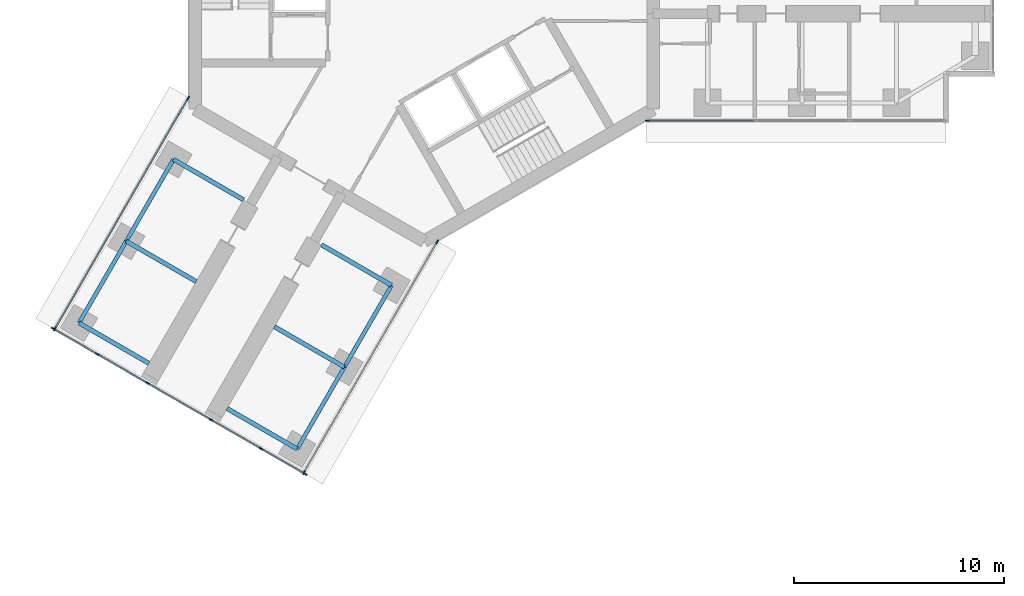
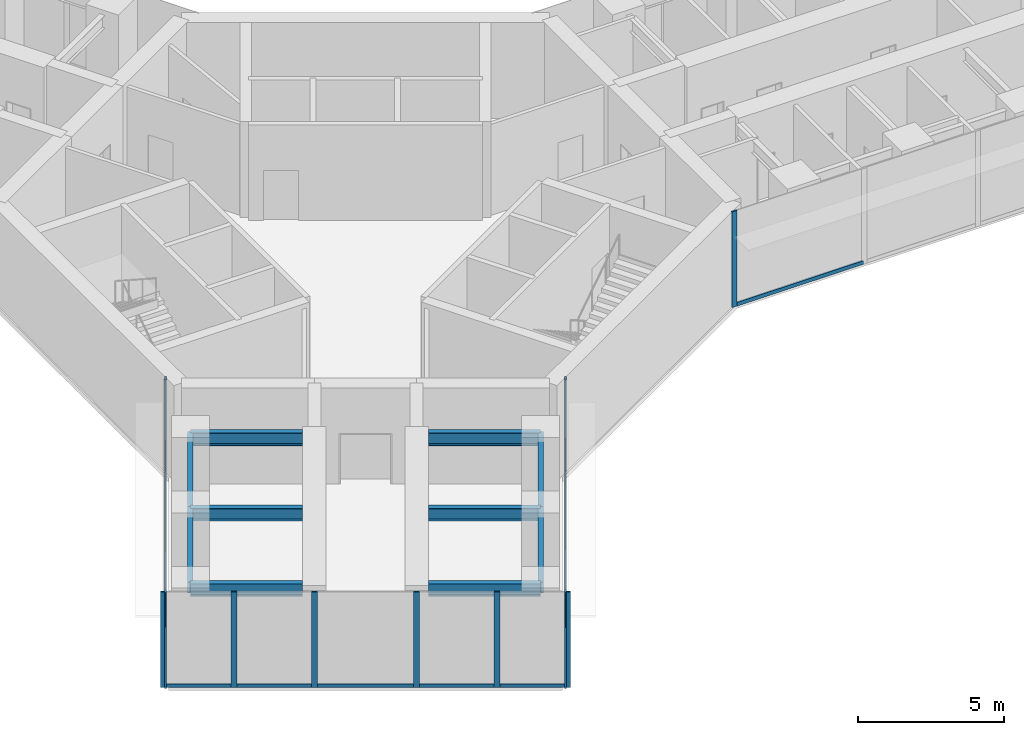
# One storey, part 2 of 22: 19 members, 10 beams, 4 elements without a shape of their own.
"""IFC4 building model written with IfcOpenShell, lengths in metres."""

import ifcopenshell
import ifcopenshell.guid

model = None  # the IFC model being written
_history = None  # IfcOwnerHistory: only IFC2X3 demands one
_inside = {}  # id of a spatial element -> (the spatial element, [elements in it])
_under = {}  # id of a project, library or spatial element -> (it, [spatial elements below it])
_declared = {}  # id of a project -> (the project, [libraries it declares])
_typed = {}  # id of a type object -> (the type object, [elements of that type])
_made_of = {}  # id of a material, layer set ... -> (it, [elements and type objects made of it])


def new_model(schema):
    """Start an empty IFC model of exactly this schema.

    Asked for "IFC4X3", IfcOpenShell would pick the latest addendum, in which some entities
    have other attributes; the version numbers below select the first issue.
    IFC2X3 requires an IfcOwnerHistory on every rooted entity: one is made here for all.
    """
    global model, _history
    if schema == "IFC4X3":
        model = ifcopenshell.file(schema_version=(4, 3, 0, 0))
    else:
        model = ifcopenshell.file(schema=schema)
    _inside.clear()
    _under.clear()
    _declared.clear()
    _typed.clear()
    _made_of.clear()
    _history = None
    if model.schema == "IFC2X3":
        org = make("IfcOrganization", Name="unknown")
        user = make(
            "IfcPersonAndOrganization",
            ThePerson=make("IfcPerson", FamilyName="unknown"),
            TheOrganization=org,
        )
        app = make(
            "IfcApplication",
            ApplicationDeveloper=org,
            Version="unknown",
            ApplicationFullName="unknown",
            ApplicationIdentifier="unknown",
        )
        _history = make(
            "IfcOwnerHistory",
            OwningUser=user,
            OwningApplication=app,
            ChangeAction="ADDED",
            CreationDate=0,
        )
    return model


def make(cls, **values):
    """One entity of the class cls with the attributes given. An attribute that is None is left unset."""
    return model.create_entity(
        cls, **{name: value for name, value in values.items() if value is not None}
    )


def rooted(cls, **values):
    """An entity with a GlobalId (a new one), such as an element, a storey or a relation."""
    return make(cls, GlobalId=ifcopenshell.guid.new(), OwnerHistory=_history, **values)


def si_unit(unit_type, name, prefix=None):
    """IfcSIUnit, for example si_unit("LENGTHUNIT", "METRE", prefix="MILLI")."""
    return make("IfcSIUnit", UnitType=unit_type, Prefix=prefix, Name=name)


def assignment(units):
    """IfcUnitAssignment: the units of a project."""
    return None if units is None else make("IfcUnitAssignment", Units=units)


def point(xyz):
    """IfcCartesianPoint."""
    return None if xyz is None else make("IfcCartesianPoint", Coordinates=xyz)


def direction(xyz):
    """IfcDirection."""
    return None if xyz is None else make("IfcDirection", DirectionRatios=xyz)


def frame(location, z_axis=None, x_axis=None):
    """IfcAxis2Placement3D, a coordinate frame: its origin and axes. An axis left out is left unset."""
    return make(
        "IfcAxis2Placement3D",
        Location=point(location),
        Axis=direction(z_axis),
        RefDirection=direction(x_axis),
    )


def frame_2d(location, x_axis=None):
    """IfcAxis2Placement2D, a coordinate frame in the plane: its origin and x axis."""
    return make(
        "IfcAxis2Placement2D", Location=point(location), RefDirection=direction(x_axis)
    )


def origin():
    """The frame at (0, 0, 0) with its axes left unset."""
    return frame((0.0, 0.0, 0.0))


def origin_2d():
    """The frame at (0, 0) in the plane with its x axis left unset."""
    return frame_2d((0.0, 0.0))


def place(relative_to, where):
    """IfcLocalPlacement: puts the frame where relative to a parent placement (None: the world)."""
    return make(
        "IfcLocalPlacement", PlacementRelTo=relative_to, RelativePlacement=where
    )


def context(
    kind, dimensions, precision=None, world=None, true_north=None, identifier=None
):
    """IfcGeometricRepresentationContext, for example the 3D "Model" context."""
    return make(
        "IfcGeometricRepresentationContext",
        ContextIdentifier=identifier,
        ContextType=kind,
        CoordinateSpaceDimension=dimensions,
        Precision=precision,
        WorldCoordinateSystem=world,
        TrueNorth=true_north,
    )


def subcontext(parent, identifier, kind, view, scale=None):
    """IfcGeometricRepresentationSubContext, for example "Body" below "Model"."""
    return make(
        "IfcGeometricRepresentationSubContext",
        ContextIdentifier=identifier,
        ContextType=kind,
        ParentContext=parent,
        TargetScale=scale,
        TargetView=view,
    )


def project(units=None, contexts=None):
    """IfcProject with its units and contexts."""
    return rooted(
        "IfcProject",
        Name="project",
        RepresentationContexts=contexts,
        UnitsInContext=assignment(units),
    )


def spatial(cls, under=None, at=None, **own):
    """A site, building, storey or space (cls), placed at a placement, below another one or the project."""
    s = rooted(cls, ObjectPlacement=at, **own)
    if under is not None:
        _under.setdefault(under.id(), (under, []))[1].append(s)
    return s


def profile(cls, at=None, kind="AREA", **sizes):
    """A parametric profile (cls). Its sizes go by their IFC names, for example OverallWidth=200.0."""
    return make(cls, ProfileType=kind, Position=at, **sizes)


def rectangle(**sizes):
    """IfcRectangleProfileDef."""
    return profile("IfcRectangleProfileDef", **sizes)


def i_section(**sizes):
    """IfcIShapeProfileDef."""
    return profile("IfcIShapeProfileDef", **sizes)


def extrude(swept, where, along, depth):
    """IfcExtrudedAreaSolid: the profile swept, set in the frame where, extruded along a direction by depth."""
    return make(
        "IfcExtrudedAreaSolid",
        SweptArea=swept,
        Position=where,
        ExtrudedDirection=direction(along),
        Depth=depth,
    )


def shape(context_of_items, identifier, shape_type, items):
    """IfcShapeRepresentation: the items that make up one representation, for example the "Body"."""
    return make(
        "IfcShapeRepresentation",
        ContextOfItems=context_of_items,
        RepresentationIdentifier=identifier,
        RepresentationType=shape_type,
        Items=items,
    )


def material(Name=None, Category=None):
    """IfcMaterial."""
    return make("IfcMaterial", Name=Name, Category=Category)


def material_profile(
    of_material, cross_section, Name=None, Category=None, Priority=None
):
    """IfcMaterialProfile: a cross section and its material."""
    return make(
        "IfcMaterialProfile",
        Name=Name,
        Material=of_material,
        Profile=cross_section,
        Priority=Priority,
        Category=Category,
    )


def profile_set(profiles, Name=None, composite=None):
    """IfcMaterialProfileSet."""
    return make(
        "IfcMaterialProfileSet",
        Name=Name,
        MaterialProfiles=profiles,
        CompositeProfile=composite,
    )


def made_of(thing, what):
    """Note that an element or type object is made of a material, layer set ...; save() writes the relation."""
    if what is not None:
        _made_of.setdefault(what.id(), (what, []))[1].append(thing)
    return thing


def type_object(cls, material=None, **own):
    """A type object (cls), such as IfcWallType, which elements share."""
    return made_of(rooted(cls, **own), material)


def element(
    cls,
    number,
    at=None,
    inside=None,
    cuts=None,
    type_object=None,
    material=None,
    context=None,
    identifier="Body",
    shape_type=None,
    held_by="IfcProductDefinitionShape",
    body=None,
    shapes=None,
    **own,
):
    """One element of the class cls, such as IfcWall. Its Tag is "e" and its number.

    at: its placement. inside: the storey or other place that contains it. cuts: it is an
    opening in that element (IfcRelVoidsElement). A single representation is given by context,
    identifier, shape_type and body (its items); several are given by shapes. held_by: the class
    of the entity that holds the representations. save() writes the other relations.
    """
    e = rooted(cls, Tag="e%d" % number, ObjectPlacement=at, **own)
    if body is not None:
        shapes = [shape(context, identifier, shape_type, body)]
    if shapes is not None:
        e.Representation = make(held_by, Representations=shapes)
    if inside is not None:
        _inside.setdefault(inside.id(), (inside, []))[1].append(e)
    if cuts is not None:
        rooted(
            "IfcRelVoidsElement", RelatingBuildingElement=cuts, RelatedOpeningElement=e
        )
    if type_object is not None:
        _typed.setdefault(type_object.id(), (type_object, []))[1].append(e)
    return made_of(e, material)


def aggregate(whole, parts):
    """IfcRelAggregates: a whole, such as a stair, and the parts it consists of."""
    return rooted("IfcRelAggregates", RelatingObject=whole, RelatedObjects=parts)


def save(model, path):
    """Write the relations noted so far, then the file.

    IfcRelAggregates (storeys below a building ...), IfcRelContainedInSpatialStructure (elements
    in a storey), IfcRelDefinesByType, IfcRelAssociatesMaterial and IfcRelDeclares: one each for
    every whole, place, type object, material and project.
    """
    for whole, parts in _under.values():
        aggregate(whole, parts)
    for where, things in _inside.values():
        rooted(
            "IfcRelContainedInSpatialStructure",
            RelatedElements=things,
            RelatingStructure=where,
        )
    for kind, things in _typed.values():
        rooted("IfcRelDefinesByType", RelatedObjects=things, RelatingType=kind)
    for what, things in _made_of.values():
        rooted("IfcRelAssociatesMaterial", RelatedObjects=things, RelatingMaterial=what)
    for by, libraries in _declared.values():
        rooted("IfcRelDeclares", RelatingContext=by, RelatedDefinitions=libraries)
    model.write(path)


model = new_model("IFC4")

# Units and contexts
model_context = context("Model", 3, precision=1e-05, world=origin(), true_north=direction((0.0, 1.0)))
body_context = subcontext(model_context, "Body", "Model", "MODEL_VIEW")
ifc_project = project(units=[si_unit("LENGTHUNIT", "METRE"), si_unit("AREAUNIT", "SQUARE_METRE"), si_unit("VOLUMEUNIT", "CUBIC_METRE"), si_unit("PLANEANGLEUNIT", "RADIAN"), si_unit("MASSUNIT", "GRAM", prefix="KILO")], contexts=[model_context])

# Site, building, storey
site_placement = place(None, origin())
site = spatial("IfcSite", under=ifc_project, at=site_placement, CompositionType="ELEMENT")
building_placement = place(site_placement, origin())
building = spatial("IfcBuilding", under=site, at=building_placement, Name="Upepo Twin Towers", CompositionType="ELEMENT")
storey_placement = place(building_placement, frame((0.0, 0.0, 133.5)))
storey = spatial("IfcBuildingStorey", under=building, at=storey_placement, Name="L32", CompositionType="ELEMENT", Elevation=133.5)

# Beams
ifc_material_1 = material(Name="Steel S355", Category="steel")
ifc_material_profile_1 = material_profile(ifc_material_1, i_section(OverallWidth=0.1904296875, OverallDepth=0.45703125, WebThickness=0.009033203125, FlangeThickness=0.014404296875, FilletRadius=0.01025390625, at=origin_2d()), Name="UB 457x191x74")
ifc_profile_set_1 = profile_set([ifc_material_profile_1], Name="Steel S355")
beam_type_1 = type_object("IfcBeamType", Name="Beam UB 457x191x74", PredefinedType="BEAM", material=ifc_profile_set_1)
beam_1_placement = place(storey_placement, frame((-1.553955078125, -14.69140625, 3.571533203125), z_axis=(-0.500013631625, -0.866017533419, 0.0), x_axis=(0.866017533419, -0.500013631625, 0.0)))
element("IfcBeam", 1, at=beam_1_placement, inside=storey, type_object=beam_type_1, Name="T1 edge beam CL 13.5-18.0", PredefinedType="BEAM", context=body_context, shape_type="SweptSolid", body=[
    extrude(i_section(OverallWidth=0.1904296875, OverallDepth=0.45703125, WebThickness=0.009033203125, FlangeThickness=0.014404296875, FilletRadius=0.01025390625, at=origin_2d()), origin(), (0.0, 0.0, 1.0), 4.499755859375),
])
beam_2_placement = place(storey_placement, frame((-3.803955078125, -18.58837890625, 3.571533203125), z_axis=(-0.499990139034, -0.866031096941, 0.0), x_axis=(0.866031096941, -0.499990139034, 0.0)))
element("IfcBeam", 2, at=beam_2_placement, inside=storey, type_object=beam_type_1, Name="T1 edge beam CL 18.0-22.5", PredefinedType="BEAM", context=body_context, shape_type="SweptSolid", body=[
    extrude(i_section(OverallWidth=0.1904296875, OverallDepth=0.45703125, WebThickness=0.009033203125, FlangeThickness=0.014404296875, FilletRadius=0.01025390625, at=origin_2d()), origin(), (0.0, 0.0, 1.0), 4.5),
])
beam_3_placement = place(storey_placement, frame((-11.946044921875, -8.69140625, 3.571533203125), z_axis=(-0.500013631625, -0.866017533419, 0.0), x_axis=(0.866017533419, -0.500013631625, 0.0)))
element("IfcBeam", 3, at=beam_3_placement, inside=storey, type_object=beam_type_1, Name="T1 edge beam CR 13.5-18.0", PredefinedType="BEAM", context=body_context, shape_type="SweptSolid", body=[
    extrude(i_section(OverallWidth=0.1904296875, OverallDepth=0.45703125, WebThickness=0.009033203125, FlangeThickness=0.014404296875, FilletRadius=0.01025390625, at=origin_2d()), origin(), (0.0, 0.0, 1.0), 4.499755859375),
])
beam_4_placement = place(storey_placement, frame((-14.196044921875, -12.58837890625, 3.571533203125), z_axis=(-0.499990139034, -0.866031096941, 0.0), x_axis=(0.866031096941, -0.499990139034, 0.0)))
element("IfcBeam", 4, at=beam_4_placement, inside=storey, type_object=beam_type_1, Name="T1 edge beam CR 18.0-22.5", PredefinedType="BEAM", context=body_context, shape_type="SweptSolid", body=[
    extrude(i_section(OverallWidth=0.1904296875, OverallDepth=0.45703125, WebThickness=0.009033203125, FlangeThickness=0.014404296875, FilletRadius=0.01025390625, at=origin_2d()), origin(), (0.0, 0.0, 1.0), 4.5),
])
ifc_material_2 = material(Name="Steel S355", Category="steel")
ifc_material_profile_2 = material_profile(ifc_material_2, i_section(OverallWidth=0.209228515625, OverallDepth=0.533203125, WebThickness=0.010009765625, FlangeThickness=0.015625, FilletRadius=0.0126953125, at=origin_2d()), Name="UB 533x210x92")
ifc_profile_set_2 = profile_set([ifc_material_profile_2], Name="Steel S355")
beam_type_2 = type_object("IfcBeamType", Name="Beam UB 533x210x92", PredefinedType="BEAM", material=ifc_profile_set_2)
beam_5_placement = place(storey_placement, frame((-1.553955078125, -14.69140625, 3.533447265625), z_axis=(-0.866006051527, 0.500033517596, 0.0), x_axis=(-0.500033517596, -0.866006051527, 0.0)))
element("IfcBeam", 5, at=beam_5_placement, inside=storey, type_object=beam_type_2, Name="T1 girder CL at 13.5", PredefinedType="BEAM", context=body_context, shape_type="SweptSolid", body=[
    extrude(i_section(OverallWidth=0.209228515625, OverallDepth=0.533203125, WebThickness=0.010009765625, FlangeThickness=0.015625, FilletRadius=0.0126953125, at=origin_2d()), origin(), (0.0, 0.0, 1.0), 3.849853515625),
])
beam_6_placement = place(storey_placement, frame((-3.803955078125, -18.58837890625, 3.533447265625), z_axis=(-0.866033512162, 0.499985955615, 0.0), x_axis=(-0.499985955615, -0.866033512162, 0.0)))
element("IfcBeam", 6, at=beam_6_placement, inside=storey, type_object=beam_type_2, Name="T1 girder CL at 18.0", PredefinedType="BEAM", context=body_context, shape_type="SweptSolid", body=[
    extrude(i_section(OverallWidth=0.209228515625, OverallDepth=0.533203125, WebThickness=0.010009765625, FlangeThickness=0.015625, FilletRadius=0.0126953125, at=origin_2d()), origin(), (0.0, 0.0, 1.0), 3.849609375),
])
for number, where, z_axis, x_axis, name in (
    (7, (-6.053955078125, -22.485595703125, 3.533447265625), (-0.866006051527, 0.500033517596, 0.0), (-0.500033517596, -0.866006051527, 0.0), "T1 girder CL at 22.5"),
    (8, (-11.946044921875, -8.69140625, 3.533447265625), (0.866006051527, -0.500033517596, 0.0), (0.500033517596, 0.866006051527, 0.0), "T1 girder CR at 13.5"),
    (9, (-14.196044921875, -12.58837890625, 3.533447265625), (0.866006051527, -0.500033517596, 0.0), (0.500033517596, 0.866006051527, 0.0), "T1 girder CR at 18.0"),
    (10, (-16.446044921875, -16.485595703125, 3.533447265625), (0.866006051527, -0.500033517596, 0.0), (0.500033517596, 0.866006051527, 0.0), "T1 girder CR at 22.5"),
):
    element("IfcBeam", number, at=place(storey_placement, frame(where, z_axis=z_axis, x_axis=x_axis)), inside=storey, type_object=beam_type_2, Name=name, PredefinedType="BEAM", context=body_context, shape_type="SweptSolid", body=[
        extrude(i_section(OverallWidth=0.209228515625, OverallDepth=0.533203125, WebThickness=0.010009765625, FlangeThickness=0.015625, FilletRadius=0.0126953125, at=origin_2d()), origin(), (0.0, 0.0, 1.0), 3.849853515625),
    ])

# Curtain wall, member
ifc_material_3 = material(Name="Aluminium and fritted glass", Category="aluminium")
curtain_wall_type = type_object("IfcCurtainWallType", Name="Tower curtain wall TW2, fritted glass", PredefinedType="NOTDEFINED", material=ifc_material_3)
curtain_wall_1_placement = place(storey_placement, origin())
curtain_wall_1 = element("IfcCurtainWall", 11, at=curtain_wall_1_placement, inside=storey, type_object=curtain_wall_type, Name="T1 L32 wing A flank R curtain wall", PredefinedType="NOTDEFINED")
ifc_material_4 = material(Name="Aluminium mullion", Category="aluminium")
ifc_material_profile_3 = material_profile(ifc_material_4, rectangle(XDim=0.06494140625, YDim=0.199951171875, at=origin_2d()), Name="MULLION 65x200")
ifc_profile_set_3 = profile_set([ifc_material_profile_3], Name="Aluminium mullion")
member_type_1 = type_object("IfcMemberType", Name="Mullion 65x200 TW2", PredefinedType="MULLION", material=ifc_profile_set_3)
member_1_placement = place(storey_placement, frame((10.61962890625, -6.85009765625, 0.0), z_axis=(0.0, 0.0, 1.0), x_axis=(0.0, -1.0, 0.0)))
member_1 = element("IfcMember", 12, at=member_1_placement, type_object=member_type_1, Name="T1 L32 wing A flank R curtain wall mullion 4", PredefinedType="MULLION", context=body_context, shape_type="SweptSolid", body=[
    extrude(rectangle(XDim=0.06494140625, YDim=0.199951171875, at=origin_2d()), origin(), (0.0, 0.0, 1.0), 4.0),
])

# Curtain wall, members
curtain_wall_2_placement = place(storey_placement, origin())
curtain_wall_2 = element("IfcCurtainWall", 13, at=curtain_wall_2_placement, inside=storey, type_object=curtain_wall_type, Name="T1 L32 wing C flank L curtain wall", PredefinedType="NOTDEFINED")
member_2_placement = place(storey_placement, frame((0.62255859375, -12.621826171875, 0.0), z_axis=(0.0, 0.0, 1.0), x_axis=(0.866025399212, -0.50000000792, 0.0)))
member_2 = element("IfcMember", 14, at=member_2_placement, type_object=member_type_1, Name="T1 L32 wing C flank L curtain wall mullion 1", PredefinedType="MULLION", context=body_context, shape_type="SweptSolid", body=[
    extrude(rectangle(XDim=0.06494140625, YDim=0.199951171875, at=origin_2d()), origin(), (0.0, 0.0, 1.0), 4.0),
])
member_3_placement = place(storey_placement, frame((-5.7265625, -23.61865234375, 0.0), z_axis=(0.0, 0.0, 1.0), x_axis=(0.866025399212, -0.50000000792, 0.0)))
member_3 = element("IfcMember", 15, at=member_3_placement, type_object=member_type_1, Name="T1 L32 wing C flank L curtain wall mullion 2", PredefinedType="MULLION", context=body_context, shape_type="SweptSolid", body=[
    extrude(rectangle(XDim=0.06494140625, YDim=0.199951171875, at=origin_2d()), origin(), (0.0, 0.0, 1.0), 4.0),
])

curtain_wall_3_placement = place(storey_placement, origin())
curtain_wall_3 = element("IfcCurtainWall", 16, at=curtain_wall_3_placement, inside=storey, type_object=curtain_wall_type, Name="T1 L32 wing C flank R curtain wall", PredefinedType="NOTDEFINED")
member_4_placement = place(storey_placement, frame((-17.591064453125, -16.7685546875, 0.0), z_axis=(0.0, 0.0, 1.0), x_axis=(-0.866025399212, 0.50000000792, 0.0)))
member_4 = element("IfcMember", 17, at=member_4_placement, type_object=member_type_1, Name="T1 L32 wing C flank R curtain wall mullion 1", PredefinedType="MULLION", context=body_context, shape_type="SweptSolid", body=[
    extrude(rectangle(XDim=0.06494140625, YDim=0.199951171875, at=origin_2d()), origin(), (0.0, 0.0, 1.0), 4.0),
])
member_5_placement = place(storey_placement, frame((-11.2421875, -5.77197265625, 0.0), z_axis=(0.0, 0.0, 1.0), x_axis=(-0.866025399212, 0.50000000792, 0.0)))
member_5 = element("IfcMember", 18, at=member_5_placement, type_object=member_type_1, Name="T1 L32 wing C flank R curtain wall mullion 2", PredefinedType="MULLION", context=body_context, shape_type="SweptSolid", body=[
    extrude(rectangle(XDim=0.06494140625, YDim=0.199951171875, at=origin_2d()), origin(), (0.0, 0.0, 1.0), 4.0),
])

curtain_wall_4_placement = place(storey_placement, origin())
curtain_wall_4 = element("IfcCurtainWall", 19, at=curtain_wall_4_placement, inside=storey, type_object=curtain_wall_type, Name="T1 L32 wing C nose curtain wall", PredefinedType="NOTDEFINED")
member_6_placement = place(storey_placement, frame((-17.665771484375, -16.762939453125, 0.0), z_axis=(0.0, 0.0, 1.0), x_axis=(0.499999972355, 0.866025419745, 0.0)))
member_6 = element("IfcMember", 20, at=member_6_placement, type_object=member_type_1, Name="T1 L32 wing C nose curtain wall mullion 1", PredefinedType="MULLION", context=body_context, shape_type="SweptSolid", body=[
    extrude(rectangle(XDim=0.06494140625, YDim=0.199951171875, at=origin_2d()), origin(), (0.0, 0.0, 1.0), 4.0),
])
member_7_placement = place(storey_placement, frame((-15.572021484375, -17.9716796875, 0.0), z_axis=(0.0, 0.0, 1.0), x_axis=(0.499999972355, 0.866025419745, 0.0)))
member_7 = element("IfcMember", 21, at=member_7_placement, type_object=member_type_1, Name="T1 L32 wing C nose curtain wall mullion 2", PredefinedType="MULLION", context=body_context, shape_type="SweptSolid", body=[
    extrude(rectangle(XDim=0.06494140625, YDim=0.199951171875, at=origin_2d()), origin(), (0.0, 0.0, 1.0), 4.0),
])
member_8_placement = place(storey_placement, frame((-13.1904296875, -19.3466796875, 0.0), z_axis=(0.0, 0.0, 1.0), x_axis=(0.499999972355, 0.866025419745, 0.0)))
member_8 = element("IfcMember", 22, at=member_8_placement, type_object=member_type_1, Name="T1 L32 wing C nose curtain wall mullion 3", PredefinedType="MULLION", context=body_context, shape_type="SweptSolid", body=[
    extrude(rectangle(XDim=0.06494140625, YDim=0.199951171875, at=origin_2d()), origin(), (0.0, 0.0, 1.0), 4.0),
])
member_9_placement = place(storey_placement, frame((-10.159423828125, -21.0966796875, 0.0), z_axis=(0.0, 0.0, 1.0), x_axis=(0.499999972355, 0.866025419745, 0.0)))
member_9 = element("IfcMember", 23, at=member_9_placement, type_object=member_type_1, Name="T1 L32 wing C nose curtain wall mullion 4", PredefinedType="MULLION", context=body_context, shape_type="SweptSolid", body=[
    extrude(rectangle(XDim=0.06494140625, YDim=0.199951171875, at=origin_2d()), origin(), (0.0, 0.0, 1.0), 4.0),
])
member_10_placement = place(storey_placement, frame((-7.77783203125, -22.4716796875, 0.0), z_axis=(0.0, 0.0, 1.0), x_axis=(0.499999972355, 0.866025419745, 0.0)))
member_10 = element("IfcMember", 24, at=member_10_placement, type_object=member_type_1, Name="T1 L32 wing C nose curtain wall mullion 5", PredefinedType="MULLION", context=body_context, shape_type="SweptSolid", body=[
    extrude(rectangle(XDim=0.06494140625, YDim=0.199951171875, at=origin_2d()), origin(), (0.0, 0.0, 1.0), 4.0),
])
member_11_placement = place(storey_placement, frame((-5.684326171875, -23.680419921875, 0.0), z_axis=(0.0, 0.0, 1.0), x_axis=(0.499999972355, 0.866025419745, 0.0)))
member_11 = element("IfcMember", 25, at=member_11_placement, type_object=member_type_1, Name="T1 L32 wing C nose curtain wall mullion 6", PredefinedType="MULLION", context=body_context, shape_type="SweptSolid", body=[
    extrude(rectangle(XDim=0.06494140625, YDim=0.199951171875, at=origin_2d()), origin(), (0.0, 0.0, 1.0), 4.0),
])

# Member
ifc_material_5 = material(Name="Aluminium transom", Category="aluminium")
ifc_material_profile_4 = material_profile(ifc_material_5, rectangle(XDim=0.06494140625, YDim=0.14990234375, at=origin_2d()), Name="TRANSOM 65x150")
ifc_profile_set_4 = profile_set([ifc_material_profile_4], Name="Aluminium transom")
member_type_2 = type_object("IfcMemberType", Name="Transom 65x150 TW2", PredefinedType="USERDEFINED", material=ifc_profile_set_4)
member_12_placement = place(storey_placement, frame((15.717529296875, -6.85009765625, 0.074951171875), z_axis=(-1.0, 0.0, 0.0), x_axis=(0.0, -1.0, 0.0)))
member_12 = element("IfcMember", 26, at=member_12_placement, type_object=member_type_2, Name="T1 L32 wing A flank R curtain wall transom 3", ObjectType="TRANSOM", PredefinedType="USERDEFINED", context=body_context, shape_type="SweptSolid", body=[
    extrude(rectangle(XDim=0.06494140625, YDim=0.14990234375, at=origin_2d()), origin(), (0.0, 0.0, 1.0), 5.0654296875),
])

aggregate(curtain_wall_1, [member_1, member_12])

member_13_placement = place(storey_placement, frame((0.606201171875, -12.64990234375, 0.074951171875), z_axis=(-0.499996807431, -0.866027247007, 0.0), x_axis=(0.866027247007, -0.499996807431, 0.0)))
member_13 = element("IfcMember", 27, at=member_13_placement, type_object=member_type_2, Name="T1 L32 wing C flank L curtain wall transom 1", ObjectType="TRANSOM", PredefinedType="USERDEFINED", context=body_context, shape_type="SweptSolid", body=[
    extrude(rectangle(XDim=0.06494140625, YDim=0.14990234375, at=origin_2d()), origin(), (0.0, 0.0, 1.0), 12.6328125),
])

aggregate(curtain_wall_2, [member_2, member_3, member_13])

member_14_placement = place(storey_placement, frame((-17.57470703125, -16.740478515625, 0.074951171875), z_axis=(0.499996807431, 0.866027247007, 0.0), x_axis=(-0.866027247007, 0.499996807431, 0.0)))
member_14 = element("IfcMember", 28, at=member_14_placement, type_object=member_type_2, Name="T1 L32 wing C flank R curtain wall transom 1", ObjectType="TRANSOM", PredefinedType="USERDEFINED", context=body_context, shape_type="SweptSolid", body=[
    extrude(rectangle(XDim=0.06494140625, YDim=0.14990234375, at=origin_2d()), origin(), (0.0, 0.0, 1.0), 12.6328125),
])

aggregate(curtain_wall_3, [member_4, member_5, member_14])

member_15_placement = place(storey_placement, frame((-17.6376953125, -16.779296875, 0.074951171875), z_axis=(0.866069800327, -0.499923095048, 0.0), x_axis=(0.499923095048, 0.866069800327, 0.0)))
member_15 = element("IfcMember", 29, at=member_15_placement, type_object=member_type_2, Name="T1 L32 wing C nose curtain wall transom 1", ObjectType="TRANSOM", PredefinedType="USERDEFINED", context=body_context, shape_type="SweptSolid", body=[
    extrude(rectangle(XDim=0.06494140625, YDim=0.14990234375, at=origin_2d()), origin(), (0.0, 0.0, 1.0), 2.352294921875),
])

member_16_placement = place(storey_placement, frame((-15.5439453125, -17.988037109375, 0.074951171875), z_axis=(0.8660523339, -0.49995335277, 0.0), x_axis=(0.49995335277, 0.8660523339, 0.0)))
member_16 = element("IfcMember", 30, at=member_16_placement, type_object=member_type_2, Name="T1 L32 wing C nose curtain wall transom 2", ObjectType="TRANSOM", PredefinedType="USERDEFINED", context=body_context, shape_type="SweptSolid", body=[
    extrude(rectangle(XDim=0.06494140625, YDim=0.14990234375, at=origin_2d()), origin(), (0.0, 0.0, 1.0), 2.684814453125),
])

member_17_placement = place(storey_placement, frame((-13.162353515625, -19.363037109375, 0.074951171875), z_axis=(0.866056579774, -0.499945997713, 0.0), x_axis=(0.499945997713, 0.866056579774, 0.0)))
member_17 = element("IfcMember", 31, at=member_17_placement, type_object=member_type_2, Name="T1 L32 wing C nose curtain wall transom 3", ObjectType="TRANSOM", PredefinedType="USERDEFINED", context=body_context, shape_type="SweptSolid", body=[
    extrude(rectangle(XDim=0.06494140625, YDim=0.14990234375, at=origin_2d()), origin(), (0.0, 0.0, 1.0), 3.43505859375),
])

member_18_placement = place(storey_placement, frame((-10.13134765625, -21.113037109375, 0.074951171875), z_axis=(0.8660523339, -0.49995335277, 0.0), x_axis=(0.49995335277, 0.8660523339, 0.0)))
member_18 = element("IfcMember", 32, at=member_18_placement, type_object=member_type_2, Name="T1 L32 wing C nose curtain wall transom 4", ObjectType="TRANSOM", PredefinedType="USERDEFINED", context=body_context, shape_type="SweptSolid", body=[
    extrude(rectangle(XDim=0.06494140625, YDim=0.14990234375, at=origin_2d()), origin(), (0.0, 0.0, 1.0), 2.684814453125),
])

member_19_placement = place(storey_placement, frame((-7.749755859375, -22.488037109375, 0.074951171875), z_axis=(0.866024864377, -0.50000093428, 0.0), x_axis=(0.50000093428, 0.866024864377, 0.0)))
member_19 = element("IfcMember", 33, at=member_19_placement, type_object=member_type_2, Name="T1 L32 wing C nose curtain wall transom 5", ObjectType="TRANSOM", PredefinedType="USERDEFINED", context=body_context, shape_type="SweptSolid", body=[
    extrude(rectangle(XDim=0.06494140625, YDim=0.14990234375, at=origin_2d()), origin(), (0.0, 0.0, 1.0), 2.3525390625),
])

aggregate(curtain_wall_4, [member_6, member_7, member_8, member_9, member_10, member_11, member_15, member_16, member_17, member_18, member_19])

save(model, "model.ifc")
